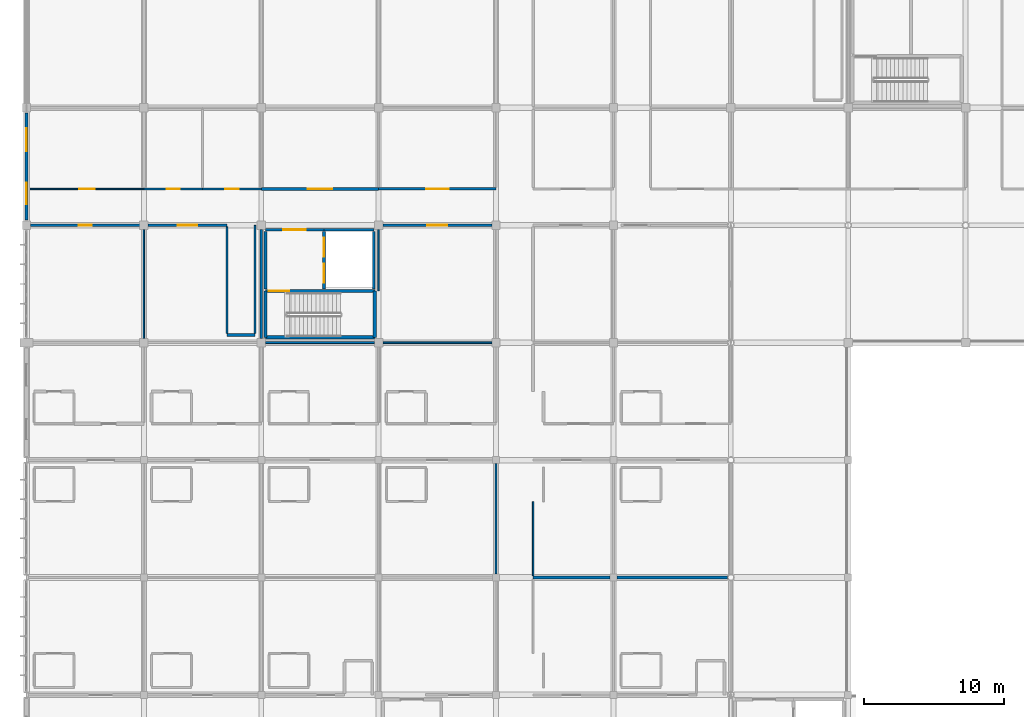
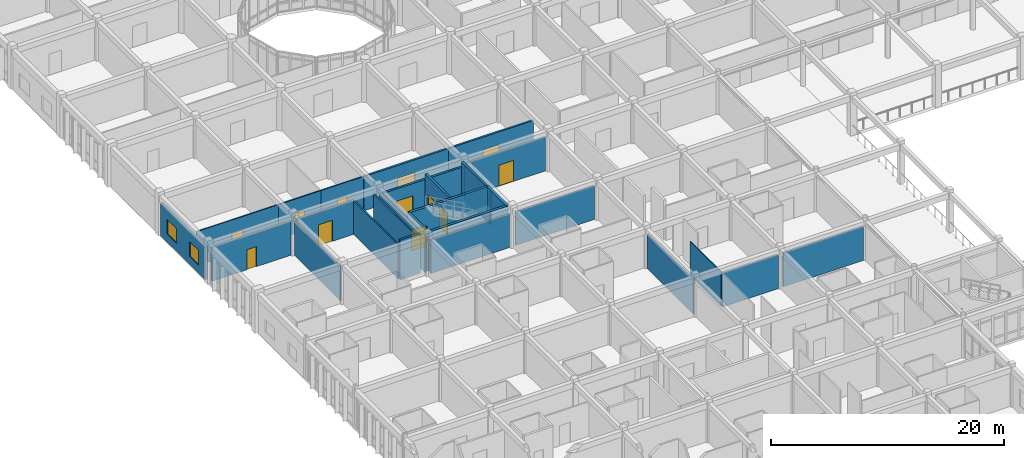
# One storey, part 101 of 144: 30 walls, 12 doors, 2 windows, 14 openings.
"""IFC4 building model written with IfcOpenShell, lengths in metres."""

from ifc_helpers import new_model, si_unit, direction, frame, frame_2d, origin, place, context, subcontext, project, spatial, rectangle, extrude, material, layer, layer_set, type_object, element, fill, save


model = new_model("IFC4")

# Units and contexts
model_context = context("Model", 3, precision=1e-05, world=origin(), true_north=direction((0.0, 1.0)))
body_context = subcontext(model_context, "Body", "Model", "MODEL_VIEW")
ifc_project = project(units=[si_unit("LENGTHUNIT", "METRE"), si_unit("AREAUNIT", "SQUARE_METRE"), si_unit("VOLUMEUNIT", "CUBIC_METRE"), si_unit("PLANEANGLEUNIT", "RADIAN"), si_unit("MASSUNIT", "GRAM", prefix="KILO")], contexts=[model_context])

# Site, building, storey
site_placement = place(None, origin())
site = spatial("IfcSite", under=ifc_project, at=site_placement, CompositionType="ELEMENT")
building_placement = place(site_placement, origin())
building = spatial("IfcBuilding", under=site, at=building_placement, Name="Bramfleet General Hospital", CompositionType="ELEMENT")
storey_placement = place(building_placement, frame((0.0, 0.0, 4.800048828125)))
storey = spatial("IfcBuildingStorey", under=building, at=storey_placement, Name="L01", CompositionType="ELEMENT", Elevation=4.800048828125)

# Wall, openings, windows
ifc_material_1 = material(Name="Precast concrete C40/50", Category="concrete")
ifc_layer_1 = layer(ifc_material_1, 0.235107421875, Name="WT-EW-09")
ifc_layer_set_1 = layer_set([ifc_layer_1], Name="Precast concrete C40/50")
wall_type_1 = type_object("IfcWallType", Name="WT-EW-09", PredefinedType="SOLIDWALL", material=ifc_layer_set_1)
wall_1_placement = place(storey_placement, frame((0.0, 59.175048828125, 0.0), z_axis=(0.0, 0.0, 1.0), x_axis=(0.0, 1.0, 0.0)))
wall_1 = element("IfcWall", 1, at=wall_1_placement, inside=storey, type_object=wall_type_1, Name="L01 Exterior Wall 154", PredefinedType="SOLIDWALL", context=body_context, shape_type="SweptSolid", body=[
    extrude(rectangle(XDim=7.64990234375, YDim=0.235107421875, at=frame_2d((3.824951171875, 0.0))), origin(), (0.0, 0.0, 1.0), 3.43994140625),
])
opening_1_placement = place(wall_1_placement, frame((1.137451171875, 0.0, 0.85009765625)))
opening_1 = element("IfcOpeningElement", 2, at=opening_1_placement, cuts=wall_1, Name="Opening W-26", PredefinedType="OPENING", context=body_context, shape_type="SweptSolid", body=[
    extrude(rectangle(XDim=1.550048828125, YDim=1.5400390625, at=frame_2d((0.77490234375, 0.77001953125))), frame((0.0, 0.12744140625, 0.0), z_axis=(0.0, -1.0, 0.0), x_axis=(1.0, 0.0, 0.0)), (0.0, 0.0, 1.0), 0.255126953125),
])
opening_2_placement = place(wall_1_placement, frame((4.91259765625, 0.0, 0.85009765625)))
opening_2 = element("IfcOpeningElement", 3, at=opening_2_placement, cuts=wall_1, Name="Opening W-27", PredefinedType="OPENING", context=body_context, shape_type="SweptSolid", body=[
    extrude(rectangle(XDim=1.64990234375, YDim=1.5400390625, at=frame_2d((0.824951171875, 0.77001953125))), frame((0.0, 0.12744140625, 0.0), z_axis=(0.0, -1.0, 0.0), x_axis=(1.0, 0.0, 0.0)), (0.0, 0.0, 1.0), 0.255126953125),
])
ifc_material_2 = material(Name="Anodised aluminium and low-E triple glazing", Category="aluminium")
window_type_1 = type_object("IfcWindowType", Name="WIN-W-26", PartitioningType="SINGLE_PANEL", PredefinedType="WINDOW", material=ifc_material_2)
window_1_placement = place(opening_1_placement, origin())
window_1 = element("IfcWindow", 4, at=window_1_placement, inside=storey, type_object=window_type_1, Name="L01 Facade Window WIN-L01-154-1", OverallHeight=1.5400390625, OverallWidth=1.550048828125, PartitioningType="SINGLE_PANEL", PredefinedType="WINDOW", context=body_context, shape_type="SweptSolid", body=[
    extrude(rectangle(XDim=1.550048828125, YDim=1.5400390625, at=frame_2d((0.77490234375, 0.77001953125))), frame((0.0, 0.030029296875, 0.0), z_axis=(0.0, -1.0, 0.0), x_axis=(1.0, 0.0, 0.0)), (0.0, 0.0, 1.0), 0.06005859375),
])
fill(opening_1, window_1)
window_type_2 = type_object("IfcWindowType", Name="WIN-W-27", PartitioningType="SINGLE_PANEL", PredefinedType="WINDOW", material=ifc_material_2)
window_2_placement = place(opening_2_placement, origin())
window_2 = element("IfcWindow", 5, at=window_2_placement, inside=storey, type_object=window_type_2, Name="L01 Facade Window WIN-L01-154-2", OverallHeight=1.5400390625, OverallWidth=1.64990234375, PartitioningType="SINGLE_PANEL", PredefinedType="WINDOW", context=body_context, shape_type="SweptSolid", body=[
    extrude(rectangle(XDim=1.64990234375, YDim=1.5400390625, at=frame_2d((0.824951171875, 0.77001953125))), frame((0.0, 0.030029296875, 0.0), z_axis=(0.0, -1.0, 0.0), x_axis=(1.0, 0.0, 0.0)), (0.0, 0.0, 1.0), 0.06005859375),
])
fill(opening_2, window_2)

# Wall, openings, doors
ifc_material_3 = material(Name="Concrete C35/45", Category="concrete")
ifc_layer_2 = layer(ifc_material_3, 0.205078125, Name="WT-IW-02")
ifc_layer_set_2 = layer_set([ifc_layer_2], Name="Concrete C35/45")
wall_type_2 = type_object("IfcWallType", Name="WT-IW-02", PredefinedType="PARTITIONING", material=ifc_layer_set_2)
wall_2_placement = place(storey_placement, frame((21.280029296875, 54.239990234375, 0.0), z_axis=(0.0, 0.0, 1.0), x_axis=(0.0, 1.0, 0.0)))
wall_2 = element("IfcWall", 6, at=wall_2_placement, inside=storey, type_object=wall_type_2, Name="L01 C2 Lobby East Shaft Wall", PredefinedType="PARTITIONING", context=body_context, shape_type="SweptSolid", body=[
    extrude(rectangle(XDim=4.1201171875, YDim=0.205078125, at=frame_2d((2.06005859375, 0.0))), origin(), (0.0, 0.0, 1.0), 4.139892578125),
])
opening_3_placement = place(wall_2_placement, frame((0.445068359375, 0.0, 0.0)))
opening_3 = element("IfcOpeningElement", 7, at=opening_3_placement, cuts=wall_2, Name="Opening LD-BL-01-L01", PredefinedType="OPENING", context=body_context, shape_type="SweptSolid", body=[
    extrude(rectangle(XDim=1.35009765625, YDim=2.199951171875, at=frame_2d((0.675048828125, 1.10009765625))), frame((0.0, 0.112548828125, 0.0), z_axis=(0.0, -1.0, 0.0), x_axis=(1.0, 0.0, 0.0)), (0.0, 0.0, 1.0), 0.22509765625),
])
opening_4_placement = place(wall_2_placement, frame((2.324951171875, 0.0, 0.0)))
opening_4 = element("IfcOpeningElement", 8, at=opening_4_placement, cuts=wall_2, Name="Opening LD-GL-01-L01", PredefinedType="OPENING", context=body_context, shape_type="SweptSolid", body=[
    extrude(rectangle(XDim=1.35009765625, YDim=2.199951171875, at=frame_2d((0.675048828125, 1.10009765625))), frame((0.0, 0.112548828125, 0.0), z_axis=(0.0, -1.0, 0.0), x_axis=(1.0, 0.0, 0.0)), (0.0, 0.0, 1.0), 0.22509765625),
])
ifc_material_4 = material(Name="Brushed stainless steel 1.4301", Category="steel")
door_type_1 = type_object("IfcDoorType", Name="DR-LD-01", OperationType="NOTDEFINED", PredefinedType="DOOR", material=ifc_material_4)
door_1_placement = place(opening_3_placement, origin())
door_1 = element("IfcDoor", 9, at=door_1_placement, inside=storey, type_object=door_type_1, Name="L01 Lift BL-01 Sliding Landing Door", OperationType="SLIDING_TO_LEFT", OverallHeight=2.199951171875, OverallWidth=1.35009765625, PredefinedType="DOOR", context=body_context, shape_type="SweptSolid", body=[
    extrude(rectangle(XDim=1.35009765625, YDim=2.199951171875, at=frame_2d((0.675048828125, 1.10009765625))), frame((0.0, 0.02490234375, 0.0), z_axis=(0.0, -1.0, 0.0), x_axis=(1.0, 0.0, 0.0)), (0.0, 0.0, 1.0), 0.050048828125),
])
fill(opening_3, door_1)
door_2_placement = place(opening_4_placement, origin())
door_2 = element("IfcDoor", 10, at=door_2_placement, inside=storey, type_object=door_type_1, Name="L01 Lift GL-01 Sliding Landing Door", OperationType="SLIDING_TO_LEFT", OverallHeight=2.199951171875, OverallWidth=1.35009765625, PredefinedType="DOOR", context=body_context, shape_type="SweptSolid", body=[
    extrude(rectangle(XDim=1.35009765625, YDim=2.199951171875, at=frame_2d((0.675048828125, 1.10009765625))), frame((0.0, 0.02490234375, 0.0), z_axis=(0.0, -1.0, 0.0), x_axis=(1.0, 0.0, 0.0)), (0.0, 0.0, 1.0), 0.050048828125),
])
fill(opening_4, door_2)

# Walls
wall_3_placement = place(storey_placement, frame((24.85009765625, 54.239990234375, 0.0), z_axis=(0.0, 0.0, 1.0), x_axis=(0.0, 1.0, 0.0)))
element("IfcWall", 11, at=wall_3_placement, inside=storey, type_object=wall_type_2, Name="L01 C2 Lift Shaft East Wall", PredefinedType="PARTITIONING", context=body_context, shape_type="SweptSolid", body=[
    extrude(rectangle(XDim=4.1201171875, YDim=0.205078125, at=frame_2d((2.06005859375, 0.0))), origin(), (0.0, 0.0, 1.0), 4.139892578125),
])
wall_4_placement = place(storey_placement, frame((21.280029296875, 58.47998046875, 0.0), z_axis=(0.0, 0.0, 1.0), x_axis=(1.0, 0.0, 0.0)))
element("IfcWall", 12, at=wall_4_placement, inside=storey, type_object=wall_type_2, Name="L01 C2 Lift Shaft North Wall", PredefinedType="PARTITIONING", context=body_context, shape_type="SweptSolid", body=[
    extrude(rectangle(XDim=3.570068359375, YDim=0.205078125, at=frame_2d((1.78515625, 0.0))), origin(), (0.0, 0.0, 1.0), 3.5400390625),
])
wall_5_placement = place(storey_placement, frame((17.10009765625, 54.239990234375, 0.0), z_axis=(0.0, 0.0, 1.0), x_axis=(0.0, 1.0, 0.0)))
element("IfcWall", 13, at=wall_5_placement, inside=storey, type_object=wall_type_2, Name="L01 C2 Lobby West Compartment Wall", PredefinedType="PARTITIONING", context=body_context, shape_type="SweptSolid", body=[
    extrude(rectangle(XDim=4.1201171875, YDim=0.205078125, at=frame_2d((2.06005859375, 0.0))), origin(), (0.0, 0.0, 1.0), 3.58984375),
])

# Wall, opening, door
wall_6_placement = place(storey_placement, frame((17.10009765625, 58.47998046875, 0.0), z_axis=(0.0, 0.0, 1.0), x_axis=(1.0, 0.0, 0.0)))
wall_6 = element("IfcWall", 14, at=wall_6_placement, inside=storey, type_object=wall_type_2, Name="L01 C2 Lobby North Compartment Wall", PredefinedType="PARTITIONING", context=body_context, shape_type="SweptSolid", body=[
    extrude(rectangle(XDim=4.179931640625, YDim=0.205078125, at=frame_2d((2.08984375, 0.0))), origin(), (0.0, 0.0, 1.0), 3.5400390625),
])
opening_5_placement = place(wall_6_placement, frame((1.2900390625, 0.0, 0.0)))
opening_5 = element("IfcOpeningElement", 15, at=opening_5_placement, cuts=wall_6, Name="Opening D0014", PredefinedType="OPENING", context=body_context, shape_type="SweptSolid", body=[
    extrude(rectangle(XDim=1.60009765625, YDim=2.25, at=frame_2d((0.800048828125, 1.125))), frame((0.0, 0.112548828125, 0.0), z_axis=(0.0, -1.0, 0.0), x_axis=(1.0, 0.0, 0.0)), (0.0, 0.0, 1.0), 0.22509765625),
])
ifc_material_5 = material(Name="Stainless steel and acoustic timber leaf", Category="steel")
door_type_2 = type_object("IfcDoorType", Name="DR-D-04", OperationType="NOTDEFINED", PredefinedType="DOOR", material=ifc_material_5)
door_3_placement = place(opening_5_placement, origin())
door_3 = element("IfcDoor", 16, at=door_3_placement, inside=storey, type_object=door_type_2, Name="L01 C2 Lobby Fire Door D0014", OperationType="DOUBLE_SWING_LEFT", OverallHeight=2.25, OverallWidth=1.60009765625, PredefinedType="DOOR", context=body_context, shape_type="SweptSolid", body=[
    extrude(rectangle(XDim=1.60009765625, YDim=2.25, at=frame_2d((0.800048828125, 1.125))), frame((0.0, 0.02490234375, 0.0), z_axis=(0.0, -1.0, 0.0), x_axis=(1.0, 0.0, 0.0)), (0.0, 0.0, 1.0), 0.050048828125),
])
fill(opening_5, door_3)

# Walls
wall_7_placement = place(storey_placement, frame((36.25, 33.60009765625, 0.0), z_axis=(0.0, 0.0, 1.0), x_axis=(1.0, 0.0, 0.0)))
element("IfcWall", 17, at=wall_7_placement, inside=storey, type_object=wall_type_2, Name="L01 Interior Partition IW-L01-1334", PredefinedType="PARTITIONING", context=body_context, shape_type="SweptSolid", body=[
    extrude(rectangle(XDim=5.5048828125, YDim=0.205078125, at=frame_2d((2.75244140625, 0.0))), origin(), (0.0, 0.0, 1.0), 3.5400390625),
])
wall_8_placement = place(storey_placement, frame((14.35009765625, 50.949951171875, 0.0), z_axis=(0.0, 0.0, 1.0), x_axis=(1.0, 0.0, 0.0)))
element("IfcWall", 18, at=wall_8_placement, inside=storey, type_object=wall_type_2, Name="L01 Interior Partition IW-L01-1382", PredefinedType="PARTITIONING", context=body_context, shape_type="SweptSolid", body=[
    extrude(rectangle(XDim=2.0, YDim=0.205078125, at=frame_2d((1.0, 0.0))), origin(), (0.0, 0.0, 1.0), 4.139892578125),
])
ifc_layer_3 = layer(ifc_material_3, 0.18994140625, Name="WT-IW-03")
ifc_layer_set_3 = layer_set([ifc_layer_3], Name="Concrete C35/45")
wall_type_3 = type_object("IfcWallType", Name="WT-IW-03", PredefinedType="PARTITIONING", material=ifc_layer_set_3)
wall_9_placement = place(storey_placement, frame((42.2451171875, 33.60009765625, 0.0), z_axis=(0.0, 0.0, 1.0), x_axis=(1.0, 0.0, 0.0)))
element("IfcWall", 19, at=wall_9_placement, inside=storey, type_object=wall_type_3, Name="L01 Interior Partition IW-L01-1335", PredefinedType="PARTITIONING", context=body_context, shape_type="SweptSolid", body=[
    extrude(rectangle(XDim=7.931396484375, YDim=0.18994140625, at=frame_2d((3.9658203125, 0.0))), origin(), (0.0, 0.0, 1.0), 3.5400390625),
])

# Wall, opening, door
wall_10_placement = place(storey_placement, frame((0.294921875, 58.800048828125, 0.0), z_axis=(0.0, 0.0, 1.0), x_axis=(1.0, 0.0, 0.0)))
wall_10 = element("IfcWall", 20, at=wall_10_placement, inside=storey, type_object=wall_type_3, Name="L01 Interior Partition IW-L01-1383", PredefinedType="PARTITIONING", context=body_context, shape_type="SweptSolid", body=[
    extrude(rectangle(XDim=7.81005859375, YDim=0.18994140625, at=frame_2d((3.905029296875, 0.0))), origin(), (0.0, 0.0, 1.0), 3.5400390625),
])
opening_6_placement = place(wall_10_placement, frame((3.429931640625, 0.0, 0.0)))
opening_6 = element("IfcOpeningElement", 21, at=opening_6_placement, cuts=wall_10, Name="Opening D0618", PredefinedType="OPENING", context=body_context, shape_type="SweptSolid", body=[
    extrude(rectangle(XDim=0.949951171875, YDim=2.10009765625, at=frame_2d((0.47509765625, 1.050048828125))), frame((0.0, 0.10498046875, 0.0), z_axis=(0.0, -1.0, 0.0), x_axis=(1.0, 0.0, 0.0)), (0.0, 0.0, 1.0), 0.2099609375),
])
door_type_3 = type_object("IfcDoorType", Name="DR-D-10", OperationType="NOTDEFINED", PredefinedType="DOOR", material=ifc_material_5)
door_4_placement = place(opening_6_placement, origin())
door_4 = element("IfcDoor", 22, at=door_4_placement, inside=storey, type_object=door_type_3, Name="Endoscopy and Day Surgery Procedure Room L01-0006 Door D0618", OperationType="SINGLE_SWING_LEFT", OverallHeight=2.10009765625, OverallWidth=0.949951171875, PredefinedType="DOOR", context=body_context, shape_type="SweptSolid", body=[
    extrude(rectangle(XDim=0.949951171875, YDim=2.10009765625, at=frame_2d((0.47509765625, 1.050048828125))), frame((0.0, 0.02490234375, 0.0), z_axis=(0.0, -1.0, 0.0), x_axis=(1.0, 0.0, 0.0)), (0.0, 0.0, 1.0), 0.050048828125),
])
fill(opening_6, door_4)

wall_11_placement = place(storey_placement, frame((16.800048828125, 61.39990234375, 0.0), z_axis=(0.0, 0.0, 1.0), x_axis=(1.0, 0.0, 0.0)))
wall_11 = element("IfcWall", 23, at=wall_11_placement, inside=storey, type_object=wall_type_3, Name="L01 Interior Partition IW-L01-1395", PredefinedType="PARTITIONING", context=body_context, shape_type="SweptSolid", body=[
    extrude(rectangle(XDim=8.39990234375, YDim=0.18994140625, at=frame_2d((4.199951171875, 0.0))), origin(), (0.0, 0.0, 1.0), 3.58984375),
])
opening_7_placement = place(wall_11_placement, frame((3.330078125, 0.0, 0.0)))
opening_7 = element("IfcOpeningElement", 24, at=opening_7_placement, cuts=wall_11, Name="Opening D0659", PredefinedType="OPENING", context=body_context, shape_type="SweptSolid", body=[
    extrude(rectangle(XDim=1.739990234375, YDim=2.239990234375, at=frame_2d((0.8701171875, 1.1201171875))), frame((0.0, 0.10498046875, 0.0), z_axis=(0.0, -1.0, 0.0), x_axis=(1.0, 0.0, 0.0)), (0.0, 0.0, 1.0), 0.2099609375),
])
door_type_4 = type_object("IfcDoorType", Name="DR-D-19", OperationType="NOTDEFINED", PredefinedType="DOOR", material=ifc_material_5)
door_5_placement = place(opening_7_placement, origin())
door_5 = element("IfcDoor", 25, at=door_5_placement, inside=storey, type_object=door_type_4, Name="Endoscopy and Day Surgery Procedure Room L01-0207 Door D0659", OperationType="DOUBLE_SWING_RIGHT", OverallHeight=2.239990234375, OverallWidth=1.739990234375, PredefinedType="DOOR", context=body_context, shape_type="SweptSolid", body=[
    extrude(rectangle(XDim=1.739990234375, YDim=2.239990234375, at=frame_2d((0.8701171875, 1.1201171875))), frame((0.0, 0.02490234375, 0.0), z_axis=(0.0, -1.0, 0.0), x_axis=(1.0, 0.0, 0.0)), (0.0, 0.0, 1.0), 0.050048828125),
])
fill(opening_7, door_5)

ifc_layer_4 = layer(ifc_material_3, 0.179931640625, Name="WT-IW-04")
ifc_layer_set_4 = layer_set([ifc_layer_4], Name="Concrete C35/45")
wall_type_4 = type_object("IfcWallType", Name="WT-IW-04", PredefinedType="PARTITIONING", material=ifc_layer_set_4)
wall_12_placement = place(storey_placement, frame((8.695068359375, 58.800048828125, 0.0), z_axis=(0.0, 0.0, 1.0), x_axis=(1.0, 0.0, 0.0)))
wall_12 = element("IfcWall", 26, at=wall_12_placement, inside=storey, type_object=wall_type_4, Name="L01 Interior Partition IW-L01-1384", PredefinedType="PARTITIONING", context=body_context, shape_type="SweptSolid", body=[
    extrude(rectangle(XDim=5.655029296875, YDim=0.179931640625, at=frame_2d((2.82763671875, 0.0))), origin(), (0.0, 0.0, 1.0), 3.5400390625),
])
opening_8_placement = place(wall_12_placement, frame((2.137451171875, 0.0, 0.0)))
opening_8 = element("IfcOpeningElement", 27, at=opening_8_placement, cuts=wall_12, Name="Opening D0638", PredefinedType="OPENING", context=body_context, shape_type="SweptSolid", body=[
    extrude(rectangle(XDim=1.3798828125, YDim=2.219970703125, at=frame_2d((0.68994140625, 1.10986328125))), frame((0.0, 0.099853515625, 0.0), z_axis=(0.0, -1.0, 0.0), x_axis=(1.0, 0.0, 0.0)), (0.0, 0.0, 1.0), 0.199951171875),
])
door_type_5 = type_object("IfcDoorType", Name="DR-D-30", OperationType="NOTDEFINED", PredefinedType="DOOR", material=ifc_material_5)
door_6_placement = place(opening_8_placement, origin())
door_6 = element("IfcDoor", 28, at=door_6_placement, inside=storey, type_object=door_type_5, Name="Endoscopy and Day Surgery Procedure Room L01-0106 Door D0638", OperationType="SINGLE_SWING_LEFT", OverallHeight=2.219970703125, OverallWidth=1.3798828125, PredefinedType="DOOR", context=body_context, shape_type="SweptSolid", body=[
    extrude(rectangle(XDim=1.3798828125, YDim=2.219970703125, at=frame_2d((0.68994140625, 1.10986328125))), frame((0.0, 0.02490234375, 0.0), z_axis=(0.0, -1.0, 0.0), x_axis=(1.0, 0.0, 0.0)), (0.0, 0.0, 1.0), 0.050048828125),
])
fill(opening_8, door_6)

wall_13_placement = place(storey_placement, frame((25.199951171875, 61.39990234375, 0.0), z_axis=(0.0, 0.0, 1.0), x_axis=(1.0, 0.0, 0.0)))
wall_13 = element("IfcWall", 29, at=wall_13_placement, inside=storey, type_object=wall_type_4, Name="L01 Interior Partition IW-L01-1396", PredefinedType="PARTITIONING", context=body_context, shape_type="SweptSolid", body=[
    extrude(rectangle(XDim=8.400146484375, YDim=0.179931640625, at=frame_2d((4.2001953125, 0.0))), origin(), (0.0, 0.0, 1.0), 3.58984375),
])
opening_9_placement = place(wall_13_placement, frame((3.39990234375, 0.0, 0.0)))
opening_9 = element("IfcOpeningElement", 30, at=opening_9_placement, cuts=wall_13, Name="Opening D0676", PredefinedType="OPENING", context=body_context, shape_type="SweptSolid", body=[
    extrude(rectangle(XDim=1.60009765625, YDim=2.25, at=frame_2d((0.800048828125, 1.125))), frame((0.0, 0.099853515625, 0.0), z_axis=(0.0, -1.0, 0.0), x_axis=(1.0, 0.0, 0.0)), (0.0, 0.0, 1.0), 0.199951171875),
])
door_7_placement = place(opening_9_placement, origin())
door_7 = element("IfcDoor", 31, at=door_7_placement, inside=storey, type_object=door_type_2, Name="Endoscopy and Day Surgery Procedure Room L01-0307 Door D0676", OperationType="DOUBLE_SWING_LEFT", OverallHeight=2.25, OverallWidth=1.60009765625, PredefinedType="DOOR", context=body_context, shape_type="SweptSolid", body=[
    extrude(rectangle(XDim=1.60009765625, YDim=2.25, at=frame_2d((0.800048828125, 1.125))), frame((0.0, 0.02490234375, 0.0), z_axis=(0.0, -1.0, 0.0), x_axis=(1.0, 0.0, 0.0)), (0.0, 0.0, 1.0), 0.050048828125),
])
fill(opening_9, door_7)

ifc_material_6 = material(Name="Gypsum plasterboard on acoustic steel studs", Category="steel")
ifc_layer_5 = layer(ifc_material_6, 0.169921875, Name="WT-IW-05")
ifc_layer_set_5 = layer_set([ifc_layer_5], Name="Gypsum plasterboard on acoustic steel studs")
wall_type_5 = type_object("IfcWallType", Name="WT-IW-05", PredefinedType="PARTITIONING", material=ifc_layer_set_5)
wall_14_placement = place(storey_placement, frame((25.4951171875, 58.800048828125, 0.0), z_axis=(0.0, 0.0, 1.0), x_axis=(1.0, 0.0, 0.0)))
wall_14 = element("IfcWall", 32, at=wall_14_placement, inside=storey, type_object=wall_type_5, Name="L01 Interior Partition IW-L01-1385", PredefinedType="PARTITIONING", context=body_context, shape_type="SweptSolid", body=[
    extrude(rectangle(XDim=7.809814453125, YDim=0.169921875, at=frame_2d((3.90478515625, 0.0))), origin(), (0.0, 0.0, 1.0), 3.5400390625),
])
opening_10_placement = place(wall_14_placement, frame((3.179931640625, 0.0, 0.0)))
opening_10 = element("IfcOpeningElement", 33, at=opening_10_placement, cuts=wall_14, Name="Opening D0675", PredefinedType="OPENING", context=body_context, shape_type="SweptSolid", body=[
    extrude(rectangle(XDim=1.449951171875, YDim=2.199951171875, at=frame_2d((0.72509765625, 1.10009765625))), frame((0.0, 0.094970703125, 0.0), z_axis=(0.0, -1.0, 0.0), x_axis=(1.0, 0.0, 0.0)), (0.0, 0.0, 1.0), 0.18994140625),
])
door_type_6 = type_object("IfcDoorType", Name="DR-D-03", OperationType="NOTDEFINED", PredefinedType="DOOR", material=ifc_material_5)
door_8_placement = place(opening_10_placement, origin())
door_8 = element("IfcDoor", 34, at=door_8_placement, inside=storey, type_object=door_type_6, Name="Endoscopy and Day Surgery Procedure Room L01-0306 Door D0675", OperationType="SINGLE_SWING_RIGHT", OverallHeight=2.199951171875, OverallWidth=1.449951171875, PredefinedType="DOOR", context=body_context, shape_type="SweptSolid", body=[
    extrude(rectangle(XDim=1.449951171875, YDim=2.199951171875, at=frame_2d((0.72509765625, 1.10009765625))), frame((0.0, 0.02490234375, 0.0), z_axis=(0.0, -1.0, 0.0), x_axis=(1.0, 0.0, 0.0)), (0.0, 0.0, 1.0), 0.050048828125),
])
fill(opening_10, door_8)

# Walls
wall_15_placement = place(storey_placement, frame((16.800048828125, 50.695068359375, 0.0), z_axis=(0.0, 0.0, 1.0), x_axis=(0.0, 1.0, 0.0)))
element("IfcWall", 35, at=wall_15_placement, inside=storey, type_object=wall_type_5, Name="L01 Interior Partition IW-L01-1625", PredefinedType="PARTITIONING", context=body_context, shape_type="SweptSolid", body=[
    extrude(rectangle(XDim=7.809814453125, YDim=0.169921875, at=frame_2d((3.90478515625, 0.0))), origin(), (0.0, 0.0, 1.0), 3.58984375),
])
ifc_layer_6 = layer(ifc_material_6, 0.139892578125, Name="WT-IW-08")
ifc_layer_set_6 = layer_set([ifc_layer_6], Name="Gypsum plasterboard on acoustic steel studs")
wall_type_6 = type_object("IfcWallType", Name="WT-IW-08", PredefinedType="PARTITIONING", material=ifc_layer_set_6)
wall_16_placement = place(storey_placement, frame((17.094970703125, 50.39990234375, 0.0), z_axis=(0.0, 0.0, 1.0), x_axis=(1.0, 0.0, 0.0)))
element("IfcWall", 36, at=wall_16_placement, inside=storey, type_object=wall_type_6, Name="L01 Interior Partition IW-L01-1376", PredefinedType="PARTITIONING", context=body_context, shape_type="SweptSolid", body=[
    extrude(rectangle(XDim=7.81005859375, YDim=0.139892578125, at=frame_2d((3.905029296875, 0.0))), origin(), (0.0, 0.0, 1.0), 3.5400390625),
])
ifc_layer_7 = layer(ifc_material_6, 0.1298828125, Name="WT-IW-09")
ifc_layer_set_7 = layer_set([ifc_layer_7], Name="Gypsum plasterboard on acoustic steel studs")
wall_type_7 = type_object("IfcWallType", Name="WT-IW-09", PredefinedType="PARTITIONING", material=ifc_layer_set_7)
wall_17_placement = place(storey_placement, frame((25.4951171875, 50.39990234375, 0.0), z_axis=(0.0, 0.0, 1.0), x_axis=(1.0, 0.0, 0.0)))
element("IfcWall", 37, at=wall_17_placement, inside=storey, type_object=wall_type_7, Name="L01 Interior Partition IW-L01-1377", PredefinedType="PARTITIONING", context=body_context, shape_type="SweptSolid", body=[
    extrude(rectangle(XDim=7.809814453125, YDim=0.1298828125, at=frame_2d((3.90478515625, 0.0))), origin(), (0.0, 0.0, 1.0), 3.5400390625),
])
wall_18_placement = place(storey_placement, frame((14.35009765625, 51.06494140625, 0.0), z_axis=(0.0, 0.0, 1.0), x_axis=(0.0, 1.0, 0.0)))
element("IfcWall", 38, at=wall_18_placement, inside=storey, type_object=wall_type_7, Name="L01 Interior Partition IW-L01-1617", PredefinedType="PARTITIONING", context=body_context, shape_type="SweptSolid", body=[
    extrude(rectangle(XDim=7.6201171875, YDim=0.1298828125, at=frame_2d((3.81005859375, 0.0))), origin(), (0.0, 0.0, 1.0), 3.5400390625),
])
wall_19_placement = place(storey_placement, frame((33.60009765625, 33.844970703125, 0.0), z_axis=(0.0, 0.0, 1.0), x_axis=(0.0, 1.0, 0.0)))
element("IfcWall", 39, at=wall_19_placement, inside=storey, type_object=wall_type_7, Name="L01 Interior Partition IW-L01-1677", PredefinedType="PARTITIONING", context=body_context, shape_type="SweptSolid", body=[
    extrude(rectangle(XDim=7.909912109375, YDim=0.1298828125, at=frame_2d((3.955078125, 0.0))), origin(), (0.0, 0.0, 1.0), 3.58984375),
])

# Wall, opening, door
ifc_layer_8 = layer(ifc_material_6, 0.1201171875, Name="WT-IW-10")
ifc_layer_set_8 = layer_set([ifc_layer_8], Name="Gypsum plasterboard on acoustic steel studs")
wall_type_8 = type_object("IfcWallType", Name="WT-IW-10", PredefinedType="PARTITIONING", material=ifc_layer_set_8)
wall_20_placement = place(storey_placement, frame((8.39990234375, 61.39990234375, 0.0), z_axis=(0.0, 0.0, 1.0), x_axis=(1.0, 0.0, 0.0)))
wall_20 = element("IfcWall", 40, at=wall_20_placement, inside=storey, type_object=wall_type_8, Name="L01 Interior Partition IW-L01-1393", PredefinedType="PARTITIONING", context=body_context, shape_type="SweptSolid", body=[
    extrude(rectangle(XDim=4.2001953125, YDim=0.1201171875, at=frame_2d((2.10009765625, 0.0))), origin(), (0.0, 0.0, 1.0), 3.58984375),
])
opening_11_placement = place(wall_20_placement, frame((1.625, 0.0, 0.0)))
opening_11 = element("IfcOpeningElement", 41, at=opening_11_placement, cuts=wall_20, Name="Opening D0639", PredefinedType="OPENING", context=body_context, shape_type="SweptSolid", body=[
    extrude(rectangle(XDim=0.949951171875, YDim=2.10009765625, at=frame_2d((0.47509765625, 1.050048828125))), frame((0.0, 0.070068359375, 0.0), z_axis=(0.0, -1.0, 0.0), x_axis=(1.0, 0.0, 0.0)), (0.0, 0.0, 1.0), 0.14013671875),
])
door_9_placement = place(opening_11_placement, origin())
door_9 = element("IfcDoor", 42, at=door_9_placement, inside=storey, type_object=door_type_3, Name="Level 01 Accessible WC Door D0639", OperationType="SINGLE_SWING_LEFT", OverallHeight=2.10009765625, OverallWidth=0.949951171875, PredefinedType="DOOR", context=body_context, shape_type="SweptSolid", body=[
    extrude(rectangle(XDim=0.949951171875, YDim=2.10009765625, at=frame_2d((0.47509765625, 1.050048828125))), frame((0.0, 0.02490234375, 0.0), z_axis=(0.0, -1.0, 0.0), x_axis=(1.0, 0.0, 0.0)), (0.0, 0.0, 1.0), 0.050048828125),
])
fill(opening_11, door_9)

wall_21_placement = place(storey_placement, frame((12.60009765625, 61.39990234375, 0.0), z_axis=(0.0, 0.0, 1.0), x_axis=(1.0, 0.0, 0.0)))
wall_21 = element("IfcWall", 43, at=wall_21_placement, inside=storey, type_object=wall_type_8, Name="L01 Interior Partition IW-L01-1394", PredefinedType="PARTITIONING", context=body_context, shape_type="SweptSolid", body=[
    extrude(rectangle(XDim=4.199951171875, YDim=0.1201171875, at=frame_2d((2.10009765625, 0.0))), origin(), (0.0, 0.0, 1.0), 3.58984375),
])
opening_12_placement = place(wall_21_placement, frame((1.625, 0.0, 0.0)))
opening_12 = element("IfcOpeningElement", 44, at=opening_12_placement, cuts=wall_21, Name="Opening D0640", PredefinedType="OPENING", context=body_context, shape_type="SweptSolid", body=[
    extrude(rectangle(XDim=0.949951171875, YDim=2.10009765625, at=frame_2d((0.47509765625, 1.050048828125))), frame((0.0, 0.070068359375, 0.0), z_axis=(0.0, -1.0, 0.0), x_axis=(1.0, 0.0, 0.0)), (0.0, 0.0, 1.0), 0.14013671875),
])
door_10_placement = place(opening_12_placement, origin())
door_10 = element("IfcDoor", 45, at=door_10_placement, inside=storey, type_object=door_type_3, Name="Level 01 Public and Staff WC Door D0640", OperationType="SINGLE_SWING_LEFT", OverallHeight=2.10009765625, OverallWidth=0.949951171875, PredefinedType="DOOR", context=body_context, shape_type="SweptSolid", body=[
    extrude(rectangle(XDim=0.949951171875, YDim=2.10009765625, at=frame_2d((0.47509765625, 1.050048828125))), frame((0.0, 0.02490234375, 0.0), z_axis=(0.0, -1.0, 0.0), x_axis=(1.0, 0.0, 0.0)), (0.0, 0.0, 1.0), 0.050048828125),
])
fill(opening_12, door_10)

# Walls
wall_22_placement = place(storey_placement, frame((16.35009765625, 51.06494140625, 0.0), z_axis=(0.0, 0.0, 1.0), x_axis=(0.0, 1.0, 0.0)))
element("IfcWall", 46, at=wall_22_placement, inside=storey, type_object=wall_type_8, Name="L01 Interior Partition IW-L01-1618", PredefinedType="PARTITIONING", context=body_context, shape_type="SweptSolid", body=[
    extrude(rectangle(XDim=7.735107421875, YDim=0.1201171875, at=frame_2d((3.86767578125, 0.0))), origin(), (0.0, 0.0, 1.0), 3.5400390625),
])
ifc_layer_9 = layer(ifc_material_6, 0.112060546875, Name="WT-IW-11")
ifc_layer_set_9 = layer_set([ifc_layer_9], Name="Gypsum plasterboard on acoustic steel studs")
wall_type_9 = type_object("IfcWallType", Name="WT-IW-11", PredefinedType="PARTITIONING", material=ifc_layer_set_9)
wall_23_placement = place(storey_placement, frame((25.199951171875, 54.10009765625, 0.0), z_axis=(0.0, 0.0, 1.0), x_axis=(0.0, 1.0, 0.0)))
element("IfcWall", 47, at=wall_23_placement, inside=storey, type_object=wall_type_9, Name="L01 Interior Partition IW-L01-1655", PredefinedType="PARTITIONING", context=body_context, shape_type="SweptSolid", body=[
    extrude(rectangle(XDim=4.40478515625, YDim=0.112060546875, at=frame_2d((2.202392578125, 0.0))), origin(), (0.0, 0.0, 1.0), 3.58984375),
])

# Wall, opening, door
ifc_layer_10 = layer(ifc_material_6, 0.10009765625, Name="WT-IW-12")
ifc_layer_set_10 = layer_set([ifc_layer_10], Name="Gypsum plasterboard on acoustic steel studs")
wall_type_10 = type_object("IfcWallType", Name="WT-IW-12", PredefinedType="PARTITIONING", material=ifc_layer_set_10)
wall_24_placement = place(storey_placement, frame((0.280029296875, 61.39990234375, 0.0), z_axis=(0.0, 0.0, 1.0), x_axis=(1.0, 0.0, 0.0)))
wall_24 = element("IfcWall", 48, at=wall_24_placement, inside=storey, type_object=wall_type_10, Name="L01 Interior Partition IW-L01-1392", PredefinedType="PARTITIONING", context=body_context, shape_type="SweptSolid", body=[
    extrude(rectangle(XDim=8.119873046875, YDim=0.10009765625, at=frame_2d((4.06005859375, 0.0))), origin(), (0.0, 0.0, 1.0), 3.58984375),
])
opening_13_placement = place(wall_24_placement, frame((3.510009765625, 0.0, 0.0)))
opening_13 = element("IfcOpeningElement", 49, at=opening_13_placement, cuts=wall_24, Name="Opening D0619", PredefinedType="OPENING", context=body_context, shape_type="SweptSolid", body=[
    extrude(rectangle(XDim=1.10009765625, YDim=2.14990234375, at=frame_2d((0.550048828125, 1.074951171875))), frame((0.0, 0.06005859375, 0.0), z_axis=(0.0, -1.0, 0.0), x_axis=(1.0, 0.0, 0.0)), (0.0, 0.0, 1.0), 0.1201171875),
])
door_type_7 = type_object("IfcDoorType", Name="DR-D-11", OperationType="NOTDEFINED", PredefinedType="DOOR", material=ifc_material_5)
door_11_placement = place(opening_13_placement, origin())
door_11 = element("IfcDoor", 50, at=door_11_placement, inside=storey, type_object=door_type_7, Name="Endoscopy and Day Surgery Procedure Room L01-0007 Door D0619", OperationType="SINGLE_SWING_RIGHT", OverallHeight=2.14990234375, OverallWidth=1.10009765625, PredefinedType="DOOR", context=body_context, shape_type="SweptSolid", body=[
    extrude(rectangle(XDim=1.10009765625, YDim=2.14990234375, at=frame_2d((0.550048828125, 1.074951171875))), frame((0.0, 0.02490234375, 0.0), z_axis=(0.0, -1.0, 0.0), x_axis=(1.0, 0.0, 0.0)), (0.0, 0.0, 1.0), 0.050048828125),
])
fill(opening_13, door_11)

# Walls
wall_25_placement = place(storey_placement, frame((8.39990234375, 50.695068359375, 0.0), z_axis=(0.0, 0.0, 1.0), x_axis=(0.0, 1.0, 0.0)))
element("IfcWall", 51, at=wall_25_placement, inside=storey, type_object=wall_type_10, Name="L01 Interior Partition IW-L01-1596", PredefinedType="PARTITIONING", context=body_context, shape_type="SweptSolid", body=[
    extrude(rectangle(XDim=7.809814453125, YDim=0.10009765625, at=frame_2d((3.90478515625, 0.0))), origin(), (0.0, 0.0, 1.0), 3.58984375),
])
wall_26_placement = place(storey_placement, frame((36.25, 33.715087890625, 0.0), z_axis=(0.0, 0.0, 1.0), x_axis=(0.0, 1.0, 0.0)))
element("IfcWall", 52, at=wall_26_placement, inside=storey, type_object=wall_type_10, Name="L01 Interior Partition IW-L01-1692", PredefinedType="PARTITIONING", context=body_context, shape_type="SweptSolid", body=[
    extrude(rectangle(XDim=5.31494140625, YDim=0.10009765625, at=frame_2d((2.657470703125, 0.0))), origin(), (0.0, 0.0, 1.0), 3.5400390625),
])
ifc_material_7 = material(Name="Concrete C40/50", Category="concrete")
ifc_layer_11 = layer(ifc_material_7, 0.239990234375, Name="WT-SW-240")
ifc_layer_set_11 = layer_set([ifc_layer_11], Name="Concrete C40/50")
wall_type_11 = type_object("IfcWallType", Name="WT-SW-240", PredefinedType="SHEAR", material=ifc_layer_set_11)
wall_27_placement = place(storey_placement, frame((17.10009765625, 50.780029296875, 0.0), z_axis=(0.0, 0.0, 1.0), x_axis=(1.0, 0.0, 0.0)))
element("IfcWall", 53, at=wall_27_placement, inside=storey, type_object=wall_type_11, Name="L01 C2 South Stair Shear Wall", PredefinedType="SHEAR", context=body_context, shape_type="SweptSolid", body=[
    extrude(rectangle(XDim=7.81982421875, YDim=0.239990234375, at=frame_2d((3.909912109375, 0.0))), origin(), (0.0, 0.0, 1.0), 4.14990234375),
])
for number, where, z_axis, x_axis, name in (
    (54, (17.10009765625, 50.780029296875, 0.0), (0.0, 0.0, 1.0), (0.0, 1.0, 0.0), "L01 C2 West Stair Shear Wall"),
    (55, (24.919921875, 50.780029296875, 0.0), (0.0, 0.0, 1.0), (0.0, 1.0, 0.0), "L01 C2 East Stair Shear Wall"),
):
    element("IfcWall", number, at=place(storey_placement, frame(where, z_axis=z_axis, x_axis=x_axis)), inside=storey, type_object=wall_type_11, Name=name, PredefinedType="SHEAR", context=body_context, shape_type="SweptSolid", body=[
        extrude(rectangle(XDim=3.320068359375, YDim=0.239990234375, at=frame_2d((1.66015625, 0.0))), origin(), (0.0, 0.0, 1.0), 4.14990234375),
    ])

# Wall, opening, door
wall_28_placement = place(storey_placement, frame((17.10009765625, 54.10009765625, 0.0), z_axis=(0.0, 0.0, 1.0), x_axis=(1.0, 0.0, 0.0)))
wall_28 = element("IfcWall", 56, at=wall_28_placement, inside=storey, type_object=wall_type_11, Name="L01 C2 Stair-Lobby Shear Wall", PredefinedType="SHEAR", context=body_context, shape_type="SweptSolid", body=[
    extrude(rectangle(XDim=7.81982421875, YDim=0.239990234375, at=frame_2d((3.909912109375, 0.0))), origin(), (0.0, 0.0, 1.0), 4.14990234375),
])
opening_14_placement = place(wall_28_placement, frame((0.25, 0.0, 0.0)))
opening_14 = element("IfcOpeningElement", 57, at=opening_14_placement, cuts=wall_28, Name="Opening D0013", PredefinedType="OPENING", context=body_context, shape_type="SweptSolid", body=[
    extrude(rectangle(XDim=1.449951171875, YDim=2.199951171875, at=frame_2d((0.72509765625, 1.10009765625))), frame((0.0, 0.1298828125, 0.0), z_axis=(0.0, -1.0, 0.0), x_axis=(1.0, 0.0, 0.0)), (0.0, 0.0, 1.0), 0.260009765625),
])
door_12_placement = place(opening_14_placement, origin())
door_12 = element("IfcDoor", 58, at=door_12_placement, inside=storey, type_object=door_type_6, Name="L01 C2 Escape Stair Fire Door D0013", OperationType="SINGLE_SWING_RIGHT", OverallHeight=2.199951171875, OverallWidth=1.449951171875, PredefinedType="DOOR", context=body_context, shape_type="SweptSolid", body=[
    extrude(rectangle(XDim=1.449951171875, YDim=2.199951171875, at=frame_2d((0.72509765625, 1.10009765625))), frame((0.0, 0.02490234375, 0.0), z_axis=(0.0, -1.0, 0.0), x_axis=(1.0, 0.0, 0.0)), (0.0, 0.0, 1.0), 0.050048828125),
])
fill(opening_14, door_12)

save(model, "model.ifc")
